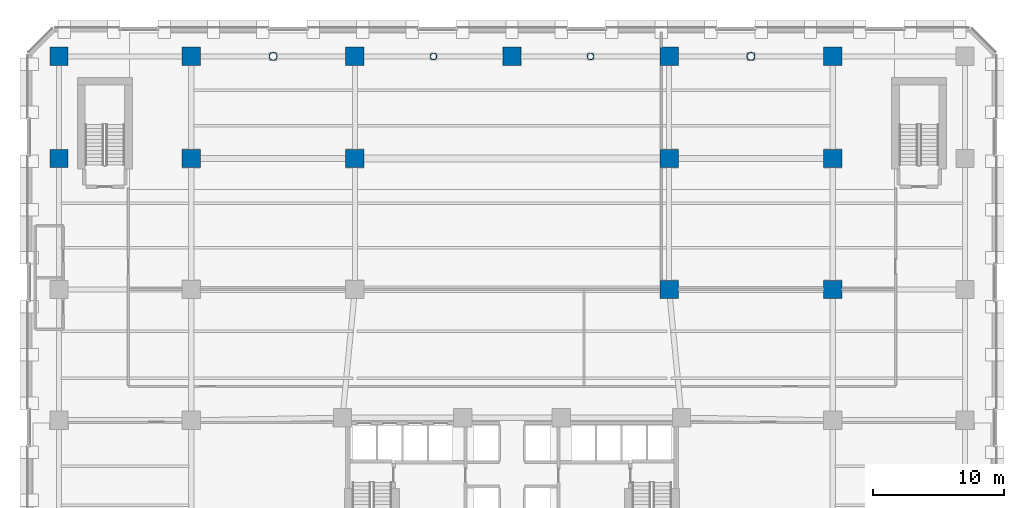
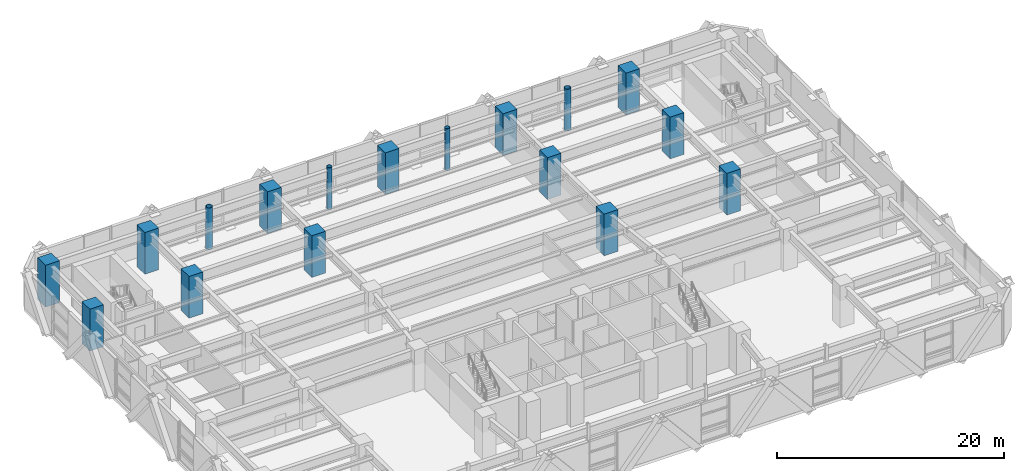
# One storey, part 4 of 26: 17 columns.
"""IFC4 building model written with IfcOpenShell, lengths in metres."""

from ifc_helpers import new_model, si_unit, direction, frame, origin, origin_2d, place, context, subcontext, project, spatial, rectangle, hollow_circle, extrude, material, material_profile, profile_set, type_object, element, save


model = new_model("IFC4")

# Units and contexts
model_context = context("Model", 3, precision=1e-05, world=origin(), true_north=direction((0.0, 1.0)))
body_context = subcontext(model_context, "Body", "Model", "MODEL_VIEW")
ifc_project = project(units=[si_unit("LENGTHUNIT", "METRE"), si_unit("AREAUNIT", "SQUARE_METRE"), si_unit("VOLUMEUNIT", "CUBIC_METRE"), si_unit("PLANEANGLEUNIT", "RADIAN"), si_unit("MASSUNIT", "GRAM", prefix="KILO")], contexts=[model_context])

# Site, building, storey
site_placement = place(None, origin())
site = spatial("IfcSite", under=ifc_project, at=site_placement, CompositionType="ELEMENT")
building_placement = place(site_placement, origin())
building = spatial("IfcBuilding", under=site, at=building_placement, Name="Quenlor Broadcast Tower", CompositionType="ELEMENT")
storey_placement = place(building_placement, frame((0.0, 0.0, 14.0)))
storey = spatial("IfcBuildingStorey", under=building, at=storey_placement, Name="L03", CompositionType="ELEMENT", Elevation=14.0)

# Columns
ifc_material_1 = material(Name="Concrete C65/80", Category="concrete")
ifc_material_profile_1 = material_profile(ifc_material_1, rectangle(XDim=1.39990234375, YDim=1.39990234375, at=origin_2d()))
ifc_profile_set_1 = profile_set([ifc_material_profile_1], Name="Concrete C65/80 RC1400x1400")
column_type_1 = type_object("IfcColumnType", Name="Podium Mega Column Concrete C65/80 1400", PredefinedType="COLUMN", material=ifc_profile_set_1)
for number, where, z_axis, x_axis, name in (
    (1, (12.0, 5.0, 0.0), (0.0, 0.0, 1.0), (1.0, 0.0, 0.0), "L03 Podium Mega Column PM18"),
    (2, (24.5, 5.0, 0.0), (0.0, 0.0, 1.0), (1.0, 0.0, 0.0), "L03 Podium Mega Column PM19"),
    (3, (-34.60009765625, 15.0, 0.0), (0.0, 0.0, 1.0), (1.0, 0.0, 0.0), "L03 Podium Mega Column PM21"),
    (4, (-24.5, 15.0, 0.0), (0.0, 0.0, 1.0), (1.0, 0.0, 0.0), "L03 Podium Mega Column PM22"),
    (5, (-12.0, 15.0, 0.0), (0.0, 0.0, 1.0), (1.0, 0.0, 0.0), "L03 Podium Mega Column PM23"),
    (6, (12.0, 15.0, 0.0), (0.0, 0.0, 1.0), (1.0, 0.0, 0.0), "L03 Podium Mega Column PM24"),
    (7, (24.5, 15.0, 0.0), (0.0, 0.0, 1.0), (1.0, 0.0, 0.0), "L03 Podium Mega Column PM25"),
    (8, (-34.60009765625, 22.800048828125, 0.0), (0.0, 0.0, 1.0), (1.0, 0.0, 0.0), "L03 Podium Mega Column PM27"),
    (9, (-24.5, 22.800048828125, 0.0), (0.0, 0.0, 1.0), (1.0, 0.0, 0.0), "L03 Podium Mega Column PM28"),
    (10, (-12.0, 22.800048828125, 0.0), (0.0, 0.0, 1.0), (1.0, 0.0, 0.0), "L03 Podium Mega Column PM29"),
    (11, (0.0, 22.800048828125, 0.0), (0.0, 0.0, 1.0), (1.0, 0.0, 0.0), "L03 Podium Mega Column PM30"),
    (12, (12.0, 22.800048828125, 0.0), (0.0, 0.0, 1.0), (1.0, 0.0, 0.0), "L03 Podium Mega Column PM31"),
    (13, (24.5, 22.800048828125, 0.0), (0.0, 0.0, 1.0), (1.0, 0.0, 0.0), "L03 Podium Mega Column PM32"),
):
    element("IfcColumn", number, at=place(storey_placement, frame(where, z_axis=z_axis, x_axis=x_axis)), inside=storey, type_object=column_type_1, Name=name, PredefinedType="COLUMN", context=body_context, shape_type="SweptSolid", body=[
        extrude(rectangle(XDim=1.39990234375, YDim=1.39990234375, at=origin_2d()), origin(), (0.0, 0.0, 1.0), 4.5),
    ])
ifc_material_2 = material(Name="Steel S355", Category="steel")
ifc_material_profile_2 = material_profile(ifc_material_2, hollow_circle(Radius=0.304931640625, WallThickness=0.02490234375, at=origin_2d()))
ifc_profile_set_2 = profile_set([ifc_material_profile_2], Name="Steel S355 CHS610x25")
column_type_2 = type_object("IfcColumnType", Name="Station Concourse Column Steel S355 CHS610", PredefinedType="COLUMN", material=ifc_profile_set_2)
for number, where, z_axis, x_axis, name in (
    (14, (-18.25, 22.800048828125, 0.0), (0.0, 0.0, 1.0), (1.0, 0.0, 0.0), "L03 Station Steel Column SCW1"),
    (15, (18.25, 22.800048828125, 0.0), (0.0, 0.0, 1.0), (1.0, 0.0, 0.0), "L03 Station Steel Column SCE1"),
):
    element("IfcColumn", number, at=place(storey_placement, frame(where, z_axis=z_axis, x_axis=x_axis)), inside=storey, type_object=column_type_2, Name=name, PredefinedType="COLUMN", context=body_context, shape_type="SweptSolid", body=[
        extrude(hollow_circle(Radius=0.304931640625, WallThickness=0.02490234375, at=origin_2d()), origin(), (0.0, 0.0, 1.0), 4.5),
    ])
ifc_material_3 = material(Name="Steel S355", Category="steel")
ifc_material_profile_3 = material_profile(ifc_material_3, hollow_circle(Radius=0.25390625, WallThickness=0.02197265625, at=origin_2d()))
ifc_profile_set_3 = profile_set([ifc_material_profile_3], Name="Steel S355 CHS508x22")
column_type_3 = type_object("IfcColumnType", Name="Station Portal Column Steel S355 CHS508", PredefinedType="COLUMN", material=ifc_profile_set_3)
for number, where, z_axis, x_axis, name in (
    (16, (-6.0, 22.800048828125, 0.0), (0.0, 0.0, 1.0), (1.0, 0.0, 0.0), "L03 Station Steel Column SCW2"),
    (17, (6.0, 22.800048828125, 0.0), (0.0, 0.0, 1.0), (1.0, 0.0, 0.0), "L03 Station Steel Column SCE2"),
):
    element("IfcColumn", number, at=place(storey_placement, frame(where, z_axis=z_axis, x_axis=x_axis)), inside=storey, type_object=column_type_3, Name=name, PredefinedType="COLUMN", context=body_context, shape_type="SweptSolid", body=[
        extrude(hollow_circle(Radius=0.25390625, WallThickness=0.02197265625, at=origin_2d()), origin(), (0.0, 0.0, 1.0), 4.5),
    ])

save(model, "model.ifc")
